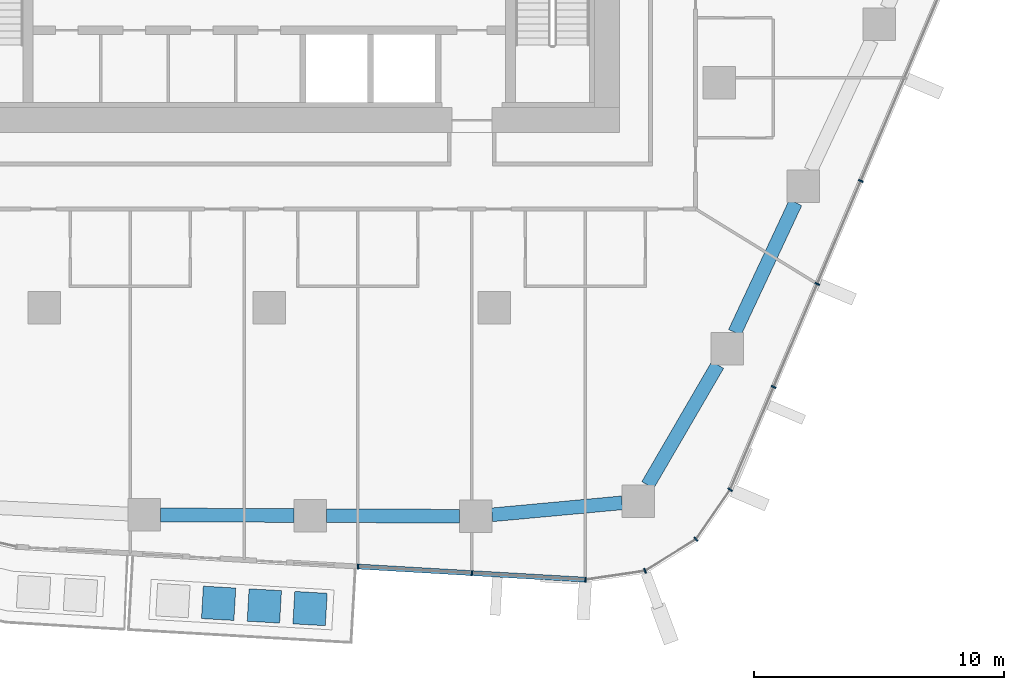
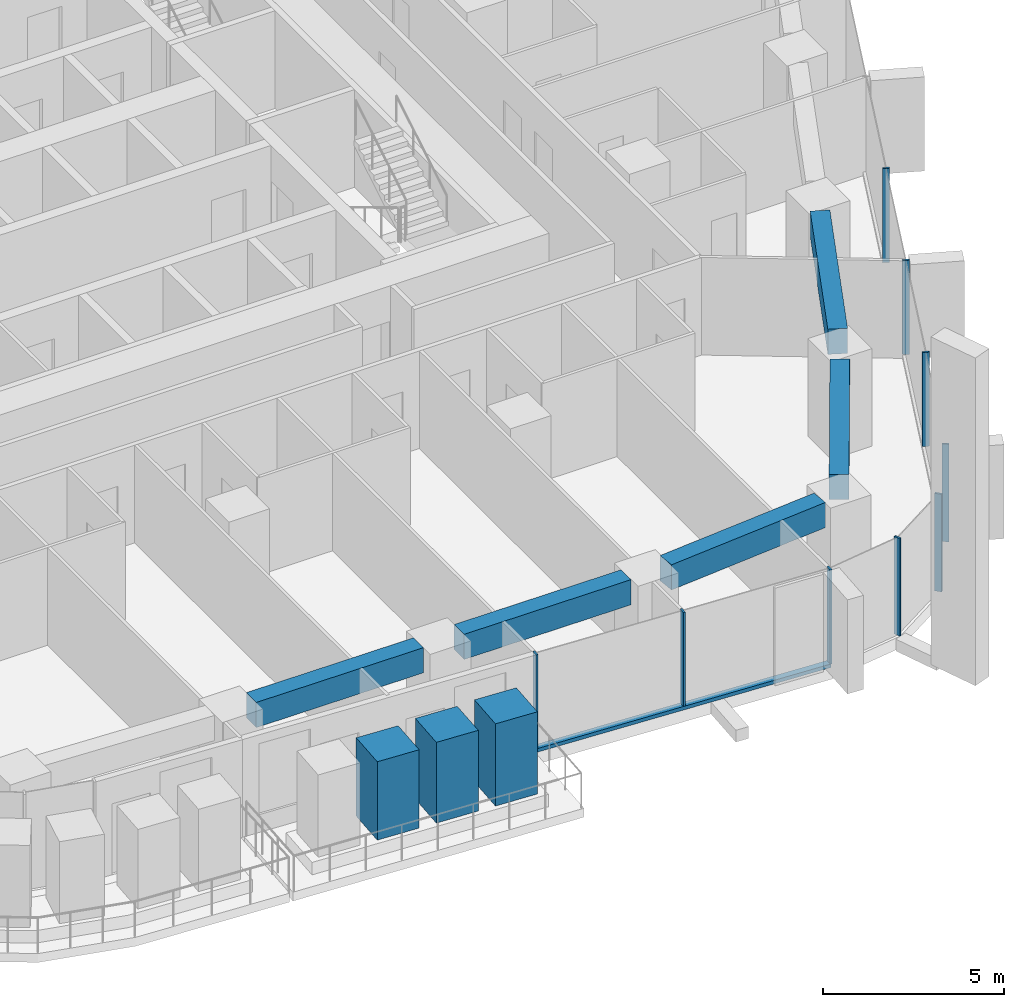
# One storey, part 4 of 24: 13 members, 5 beams, 3 elements without a shape of their own.
"""IFC4 building model written with IfcOpenShell, lengths in metres."""

import ifcopenshell
import ifcopenshell.guid

model = None  # the IFC model being written
_history = None  # IfcOwnerHistory: only IFC2X3 demands one
_inside = {}  # id of a spatial element -> (the spatial element, [elements in it])
_under = {}  # id of a project, library or spatial element -> (it, [spatial elements below it])
_declared = {}  # id of a project -> (the project, [libraries it declares])
_typed = {}  # id of a type object -> (the type object, [elements of that type])
_made_of = {}  # id of a material, layer set ... -> (it, [elements and type objects made of it])


def new_model(schema):
    """Start an empty IFC model of exactly this schema.

    Asked for "IFC4X3", IfcOpenShell would pick the latest addendum, in which some entities
    have other attributes; the version numbers below select the first issue.
    IFC2X3 requires an IfcOwnerHistory on every rooted entity: one is made here for all.
    """
    global model, _history
    if schema == "IFC4X3":
        model = ifcopenshell.file(schema_version=(4, 3, 0, 0))
    else:
        model = ifcopenshell.file(schema=schema)
    _inside.clear()
    _under.clear()
    _declared.clear()
    _typed.clear()
    _made_of.clear()
    _history = None
    if model.schema == "IFC2X3":
        org = make("IfcOrganization", Name="unknown")
        user = make(
            "IfcPersonAndOrganization",
            ThePerson=make("IfcPerson", FamilyName="unknown"),
            TheOrganization=org,
        )
        app = make(
            "IfcApplication",
            ApplicationDeveloper=org,
            Version="unknown",
            ApplicationFullName="unknown",
            ApplicationIdentifier="unknown",
        )
        _history = make(
            "IfcOwnerHistory",
            OwningUser=user,
            OwningApplication=app,
            ChangeAction="ADDED",
            CreationDate=0,
        )
    return model


def make(cls, **values):
    """One entity of the class cls with the attributes given. An attribute that is None is left unset."""
    return model.create_entity(
        cls, **{name: value for name, value in values.items() if value is not None}
    )


def rooted(cls, **values):
    """An entity with a GlobalId (a new one), such as an element, a storey or a relation."""
    return make(cls, GlobalId=ifcopenshell.guid.new(), OwnerHistory=_history, **values)


def si_unit(unit_type, name, prefix=None):
    """IfcSIUnit, for example si_unit("LENGTHUNIT", "METRE", prefix="MILLI")."""
    return make("IfcSIUnit", UnitType=unit_type, Prefix=prefix, Name=name)


def assignment(units):
    """IfcUnitAssignment: the units of a project."""
    return None if units is None else make("IfcUnitAssignment", Units=units)


def point(xyz):
    """IfcCartesianPoint."""
    return None if xyz is None else make("IfcCartesianPoint", Coordinates=xyz)


def direction(xyz):
    """IfcDirection."""
    return None if xyz is None else make("IfcDirection", DirectionRatios=xyz)


def frame(location, z_axis=None, x_axis=None):
    """IfcAxis2Placement3D, a coordinate frame: its origin and axes. An axis left out is left unset."""
    return make(
        "IfcAxis2Placement3D",
        Location=point(location),
        Axis=direction(z_axis),
        RefDirection=direction(x_axis),
    )


def frame_2d(location, x_axis=None):
    """IfcAxis2Placement2D, a coordinate frame in the plane: its origin and x axis."""
    return make(
        "IfcAxis2Placement2D", Location=point(location), RefDirection=direction(x_axis)
    )


def origin():
    """The frame at (0, 0, 0) with its axes left unset."""
    return frame((0.0, 0.0, 0.0))


def origin_2d():
    """The frame at (0, 0) in the plane with its x axis left unset."""
    return frame_2d((0.0, 0.0))


def place(relative_to, where):
    """IfcLocalPlacement: puts the frame where relative to a parent placement (None: the world)."""
    return make(
        "IfcLocalPlacement", PlacementRelTo=relative_to, RelativePlacement=where
    )


def context(
    kind, dimensions, precision=None, world=None, true_north=None, identifier=None
):
    """IfcGeometricRepresentationContext, for example the 3D "Model" context."""
    return make(
        "IfcGeometricRepresentationContext",
        ContextIdentifier=identifier,
        ContextType=kind,
        CoordinateSpaceDimension=dimensions,
        Precision=precision,
        WorldCoordinateSystem=world,
        TrueNorth=true_north,
    )


def subcontext(parent, identifier, kind, view, scale=None):
    """IfcGeometricRepresentationSubContext, for example "Body" below "Model"."""
    return make(
        "IfcGeometricRepresentationSubContext",
        ContextIdentifier=identifier,
        ContextType=kind,
        ParentContext=parent,
        TargetScale=scale,
        TargetView=view,
    )


def project(units=None, contexts=None):
    """IfcProject with its units and contexts."""
    return rooted(
        "IfcProject",
        Name="project",
        RepresentationContexts=contexts,
        UnitsInContext=assignment(units),
    )


def spatial(cls, under=None, at=None, **own):
    """A site, building, storey or space (cls), placed at a placement, below another one or the project."""
    s = rooted(cls, ObjectPlacement=at, **own)
    if under is not None:
        _under.setdefault(under.id(), (under, []))[1].append(s)
    return s


def profile(cls, at=None, kind="AREA", **sizes):
    """A parametric profile (cls). Its sizes go by their IFC names, for example OverallWidth=200.0."""
    return make(cls, ProfileType=kind, Position=at, **sizes)


def rectangle(**sizes):
    """IfcRectangleProfileDef."""
    return profile("IfcRectangleProfileDef", **sizes)


def extrude(swept, where, along, depth):
    """IfcExtrudedAreaSolid: the profile swept, set in the frame where, extruded along a direction by depth."""
    return make(
        "IfcExtrudedAreaSolid",
        SweptArea=swept,
        Position=where,
        ExtrudedDirection=direction(along),
        Depth=depth,
    )


def shape(context_of_items, identifier, shape_type, items):
    """IfcShapeRepresentation: the items that make up one representation, for example the "Body"."""
    return make(
        "IfcShapeRepresentation",
        ContextOfItems=context_of_items,
        RepresentationIdentifier=identifier,
        RepresentationType=shape_type,
        Items=items,
    )


def material(Name=None, Category=None):
    """IfcMaterial."""
    return make("IfcMaterial", Name=Name, Category=Category)


def layer(
    of_material, thickness, ventilated=None, Name=None, Category=None, Priority=None
):
    """IfcMaterialLayer: one layer of a wall or slab, of a material (None: an air gap)."""
    return make(
        "IfcMaterialLayer",
        Material=of_material,
        LayerThickness=thickness,
        IsVentilated=ventilated,
        Name=Name,
        Category=Category,
        Priority=Priority,
    )


def layer_set(layers, Name=None):
    """IfcMaterialLayerSet."""
    return make("IfcMaterialLayerSet", MaterialLayers=layers, LayerSetName=Name)


def material_profile(
    of_material, cross_section, Name=None, Category=None, Priority=None
):
    """IfcMaterialProfile: a cross section and its material."""
    return make(
        "IfcMaterialProfile",
        Name=Name,
        Material=of_material,
        Profile=cross_section,
        Priority=Priority,
        Category=Category,
    )


def profile_set(profiles, Name=None, composite=None):
    """IfcMaterialProfileSet."""
    return make(
        "IfcMaterialProfileSet",
        Name=Name,
        MaterialProfiles=profiles,
        CompositeProfile=composite,
    )


def made_of(thing, what):
    """Note that an element or type object is made of a material, layer set ...; save() writes the relation."""
    if what is not None:
        _made_of.setdefault(what.id(), (what, []))[1].append(thing)
    return thing


def type_object(cls, material=None, **own):
    """A type object (cls), such as IfcWallType, which elements share."""
    return made_of(rooted(cls, **own), material)


def element(
    cls,
    number,
    at=None,
    inside=None,
    cuts=None,
    type_object=None,
    material=None,
    context=None,
    identifier="Body",
    shape_type=None,
    held_by="IfcProductDefinitionShape",
    body=None,
    shapes=None,
    **own,
):
    """One element of the class cls, such as IfcWall. Its Tag is "e" and its number.

    at: its placement. inside: the storey or other place that contains it. cuts: it is an
    opening in that element (IfcRelVoidsElement). A single representation is given by context,
    identifier, shape_type and body (its items); several are given by shapes. held_by: the class
    of the entity that holds the representations. save() writes the other relations.
    """
    e = rooted(cls, Tag="e%d" % number, ObjectPlacement=at, **own)
    if body is not None:
        shapes = [shape(context, identifier, shape_type, body)]
    if shapes is not None:
        e.Representation = make(held_by, Representations=shapes)
    if inside is not None:
        _inside.setdefault(inside.id(), (inside, []))[1].append(e)
    if cuts is not None:
        rooted(
            "IfcRelVoidsElement", RelatingBuildingElement=cuts, RelatedOpeningElement=e
        )
    if type_object is not None:
        _typed.setdefault(type_object.id(), (type_object, []))[1].append(e)
    return made_of(e, material)


def aggregate(whole, parts):
    """IfcRelAggregates: a whole, such as a stair, and the parts it consists of."""
    return rooted("IfcRelAggregates", RelatingObject=whole, RelatedObjects=parts)


def save(model, path):
    """Write the relations noted so far, then the file.

    IfcRelAggregates (storeys below a building ...), IfcRelContainedInSpatialStructure (elements
    in a storey), IfcRelDefinesByType, IfcRelAssociatesMaterial and IfcRelDeclares: one each for
    every whole, place, type object, material and project.
    """
    for whole, parts in _under.values():
        aggregate(whole, parts)
    for where, things in _inside.values():
        rooted(
            "IfcRelContainedInSpatialStructure",
            RelatedElements=things,
            RelatingStructure=where,
        )
    for kind, things in _typed.values():
        rooted("IfcRelDefinesByType", RelatedObjects=things, RelatingType=kind)
    for what, things in _made_of.values():
        rooted("IfcRelAssociatesMaterial", RelatedObjects=things, RelatingMaterial=what)
    for by, libraries in _declared.values():
        rooted("IfcRelDeclares", RelatingContext=by, RelatedDefinitions=libraries)
    model.write(path)


model = new_model("IFC4")

# Units and contexts
model_context = context("Model", 3, precision=1e-05, world=origin(), true_north=direction((0.0, 1.0)))
body_context = subcontext(model_context, "Body", "Model", "MODEL_VIEW")
ifc_project = project(units=[si_unit("LENGTHUNIT", "METRE"), si_unit("AREAUNIT", "SQUARE_METRE"), si_unit("VOLUMEUNIT", "CUBIC_METRE"), si_unit("PLANEANGLEUNIT", "RADIAN"), si_unit("MASSUNIT", "GRAM", prefix="KILO")], contexts=[model_context])

# Site, building, storey
site_placement = place(None, origin())
site = spatial("IfcSite", under=ifc_project, at=site_placement, CompositionType="ELEMENT")
building_placement = place(site_placement, origin())
building = spatial("IfcBuilding", under=site, at=building_placement, Name="Dongbaek Canopy Tower", CompositionType="ELEMENT")
storey_placement = place(building_placement, frame((0.0, 0.0, 117.39990234375)))
storey = spatial("IfcBuildingStorey", under=building, at=storey_placement, Name="L25", CompositionType="ELEMENT", Elevation=117.39990234375)

# Curtain wall, members
ifc_material_1 = material(Name="Aluminium 6063-T6 pale anodised", Category="aluminium")
ifc_layer = layer(ifc_material_1, 0.199951171875)
ifc_layer_set = layer_set([ifc_layer], Name="CW-1 unitised tower curtain wall")
curtain_wall_type = type_object("IfcCurtainWallType", Name="CW-1 unitised tower curtain wall", PredefinedType="NOTDEFINED", material=ifc_layer_set)
curtain_wall_1_placement = place(storey_placement, origin())
curtain_wall_1 = element("IfcCurtainWall", 1, at=curtain_wall_1_placement, inside=storey, type_object=curtain_wall_type, Name="CW-1 curtain wall F4.1", PredefinedType="NOTDEFINED")
ifc_material_2 = material(Name="Aluminium 6063-T6 pale anodised", Category="aluminium")
ifc_material_profile_1 = material_profile(ifc_material_2, rectangle(XDim=0.199951171875, YDim=0.06005859375, at=origin_2d()), Name="CW-1 mullion 60 x 200")
ifc_profile_set_1 = profile_set([ifc_material_profile_1], Name="Aluminium 6063-T6 pale anodised")
member_type_1 = type_object("IfcMemberType", Name="CW-1 mullion 60 x 200", PredefinedType="MULLION", material=ifc_profile_set_1)
member_1_placement = place(storey_placement, frame((3.545166015625, -28.357666015625, 0.1201171875), z_axis=(0.0, 0.0, 1.0), x_axis=(-0.057753163239, -0.998330893109, 0.0)))
member_1 = element("IfcMember", 2, at=member_1_placement, type_object=member_type_1, Name="CW-1 mullion F4.1.1", PredefinedType="MULLION", context=body_context, shape_type="SweptSolid", body=[
    extrude(rectangle(XDim=0.199951171875, YDim=0.06005859375, at=origin_2d()), origin(), (0.0, 0.0, 1.0), 3.179931640625),
])
member_2_placement = place(storey_placement, frame((8.101318359375, -28.621337890625, 0.1201171875), z_axis=(0.0, 0.0, 1.0), x_axis=(-0.057753163239, -0.998330893109, 0.0)))
member_2 = element("IfcMember", 3, at=member_2_placement, type_object=member_type_1, Name="CW-1 mullion F4.1.2", PredefinedType="MULLION", context=body_context, shape_type="SweptSolid", body=[
    extrude(rectangle(XDim=0.199951171875, YDim=0.06005859375, at=origin_2d()), origin(), (0.0, 0.0, 1.0), 3.179931640625),
])
member_3_placement = place(storey_placement, frame((12.647216796875, -28.88427734375, 0.1201171875), z_axis=(0.0, 0.0, 1.0), x_axis=(-0.057753163239, -0.998330893109, 0.0)))
member_3 = element("IfcMember", 4, at=member_3_placement, type_object=member_type_1, Name="CW-1 mullion F4.1.3", PredefinedType="MULLION", context=body_context, shape_type="SweptSolid", body=[
    extrude(rectangle(XDim=0.199951171875, YDim=0.06005859375, at=origin_2d()), origin(), (0.0, 0.0, 1.0), 3.179931640625),
])

curtain_wall_2_placement = place(storey_placement, origin())
curtain_wall_2 = element("IfcCurtainWall", 5, at=curtain_wall_2_placement, inside=storey, type_object=curtain_wall_type, Name="CW-1 curtain wall K5.1", PredefinedType="NOTDEFINED")
member_4_placement = place(storey_placement, frame((15.02978515625, -28.53173828125, 0.0), z_axis=(0.0, 0.0, 1.0), x_axis=(0.344450618271, -0.938804437342, 0.0)))
member_4 = element("IfcMember", 6, at=member_4_placement, type_object=member_type_1, Name="CW-1 mullion K5.1.2", PredefinedType="MULLION", context=body_context, shape_type="SweptSolid", body=[
    extrude(rectangle(XDim=0.199951171875, YDim=0.06005859375, at=origin_2d()), origin(), (0.0, 0.0, 1.0), 3.300048828125),
])
member_5_placement = place(storey_placement, frame((17.066162109375, -27.265380859375, 0.0), z_axis=(0.0, 0.0, 1.0), x_axis=(0.689712826915, -0.724083017608, 0.0)))
member_5 = element("IfcMember", 7, at=member_5_placement, type_object=member_type_1, Name="CW-1 mullion K5.1.3", PredefinedType="MULLION", context=body_context, shape_type="SweptSolid", body=[
    extrude(rectangle(XDim=0.199951171875, YDim=0.06005859375, at=origin_2d()), origin(), (0.0, 0.0, 1.0), 3.300048828125),
])
member_6_placement = place(storey_placement, frame((18.435791015625, -25.2841796875, 0.0), z_axis=(0.0, 0.0, 1.0), x_axis=(0.822510897194, -0.568749350767, 0.0)))
member_6 = element("IfcMember", 8, at=member_6_placement, type_object=member_type_1, Name="CW-1 mullion K5.1.4", PredefinedType="MULLION", context=body_context, shape_type="SweptSolid", body=[
    extrude(rectangle(XDim=0.199951171875, YDim=0.06005859375, at=origin_2d()), origin(), (0.0, 0.0, 1.0), 3.300048828125),
])
aggregate(curtain_wall_2, [member_4, member_5, member_6])

curtain_wall_3_placement = place(storey_placement, origin())
curtain_wall_3 = element("IfcCurtainWall", 9, at=curtain_wall_3_placement, inside=storey, type_object=curtain_wall_type, Name="CW-1 curtain wall F5.1", PredefinedType="NOTDEFINED")
member_7_placement = place(storey_placement, frame((20.175537109375, -21.1728515625, 0.1201171875), z_axis=(0.0, 0.0, 1.0), x_axis=(0.920957724744, -0.389662506836, 0.0)))
member_7 = element("IfcMember", 10, at=member_7_placement, type_object=member_type_1, Name="CW-1 mullion F5.1.2", PredefinedType="MULLION", context=body_context, shape_type="SweptSolid", body=[
    extrude(rectangle(XDim=0.199951171875, YDim=0.06005859375, at=origin_2d()), origin(), (0.0, 0.0, 1.0), 3.179931640625),
])
member_8_placement = place(storey_placement, frame((21.919189453125, -17.0517578125, 0.1201171875), z_axis=(0.0, 0.0, 1.0), x_axis=(0.920957724744, -0.389662506836, 0.0)))
member_8 = element("IfcMember", 11, at=member_8_placement, type_object=member_type_1, Name="CW-1 mullion F5.1.3", PredefinedType="MULLION", context=body_context, shape_type="SweptSolid", body=[
    extrude(rectangle(XDim=0.199951171875, YDim=0.06005859375, at=origin_2d()), origin(), (0.0, 0.0, 1.0), 3.179931640625),
])
member_9_placement = place(storey_placement, frame((23.66259765625, -12.930908203125, 0.1201171875), z_axis=(0.0, 0.0, 1.0), x_axis=(0.920957724744, -0.389662506836, 0.0)))
member_9 = element("IfcMember", 12, at=member_9_placement, type_object=member_type_1, Name="CW-1 mullion F5.1.4", PredefinedType="MULLION", context=body_context, shape_type="SweptSolid", body=[
    extrude(rectangle(XDim=0.199951171875, YDim=0.06005859375, at=origin_2d()), origin(), (0.0, 0.0, 1.0), 3.179931640625),
])
aggregate(curtain_wall_3, [member_7, member_8, member_9])

# Member
ifc_material_3 = material(Name="Aluminium 6063-T6 pale anodised", Category="aluminium")
ifc_material_profile_2 = material_profile(ifc_material_3, rectangle(XDim=0.199951171875, YDim=0.1201171875, at=origin_2d()), Name="CW-1 transom 120 x 200")
ifc_profile_set_2 = profile_set([ifc_material_profile_2], Name="Aluminium 6063-T6 pale anodised")
member_type_2 = type_object("IfcMemberType", Name="CW-1 transom 120 x 200", PredefinedType="USERDEFINED", material=ifc_profile_set_2)
member_10_placement = place(storey_placement, frame((3.545166015625, -28.357666015625, 0.06005859375), z_axis=(0.998330512176, -0.057759747727, 0.0), x_axis=(0.057759747727, 0.998330512176, 0.0)))
member_10 = element("IfcMember", 13, at=member_10_placement, type_object=member_type_2, Name="CW-1 transom F4.1.1", ObjectType="TRANSOM", PredefinedType="USERDEFINED", context=body_context, shape_type="SweptSolid", body=[
    extrude(rectangle(XDim=0.199951171875, YDim=0.1201171875, at=origin_2d()), origin(), (0.0, 0.0, 1.0), 9.1171875),
])

aggregate(curtain_wall_1, [member_1, member_2, member_3, member_10])

# Beams
ifc_material_4 = material(Name="Concrete C80", Category="concrete")
ifc_material_profile_3 = material_profile(ifc_material_4, rectangle(XDim=0.550048828125, YDim=0.85009765625, at=origin_2d()), Name="RC EDGE BEAM 550x850 C80")
ifc_profile_set_3 = profile_set([ifc_material_profile_3], Name="Concrete C80")
beam_type = type_object("IfcBeamType", Name="RC EDGE BEAM 550x850 C80", PredefinedType="BEAM", material=ifc_profile_set_3)
beam_1_placement = place(storey_placement, frame((14.110107421875, -25.80908203125, 2.875), z_axis=(-0.995770494827, -0.091875576911, 0.0), x_axis=(0.091875576911, -0.995770494827, 0.0)))
element("IfcBeam", 14, at=beam_1_placement, inside=storey, type_object=beam_type, Name="EDGEBEAM:L25:00", PredefinedType="BEAM", context=body_context, shape_type="SweptSolid", body=[
    extrude(rectangle(XDim=0.550048828125, YDim=0.85009765625, at=origin_2d()), origin(), (0.0, 0.0, 1.0), 5.224365234375),
])
beam_2_placement = place(storey_placement, frame((7.60791015625, -26.34619140625, 2.875), z_axis=(-0.999989714022, 0.004535620181, 0.0), x_axis=(-0.004535620181, -0.999989714022, 0.0)))
element("IfcBeam", 15, at=beam_2_placement, inside=storey, type_object=beam_type, Name="EDGEBEAM:L25:01", PredefinedType="BEAM", context=body_context, shape_type="SweptSolid", body=[
    extrude(rectangle(XDim=0.550048828125, YDim=0.85009765625, at=origin_2d()), origin(), (0.0, 0.0, 1.0), 5.328857421875),
])
beam_3_placement = place(storey_placement, frame((0.97900390625, -26.316162109375, 2.875), z_axis=(-0.999990328846, 0.004397978357, 0.0), x_axis=(-0.004397978357, -0.999990328846, 0.0)))
element("IfcBeam", 16, at=beam_3_placement, inside=storey, type_object=beam_type, Name="EDGEBEAM:L25:02", PredefinedType="BEAM", context=body_context, shape_type="SweptSolid", body=[
    extrude(rectangle(XDim=0.550048828125, YDim=0.85009765625, at=origin_2d()), origin(), (0.0, 0.0, 1.0), 5.3291015625),
])
beam_4_placement = place(storey_placement, frame((21.051513671875, -13.800048828125, 2.875), z_axis=(-0.424209119096, -0.905564256845, 0.0), x_axis=(0.905564256845, -0.424209119096, 0.0)))
element("IfcBeam", 17, at=beam_4_placement, inside=storey, type_object=beam_type, Name="EDGEBEAM:L25:24", PredefinedType="BEAM", context=body_context, shape_type="SweptSolid", body=[
    extrude(rectangle(XDim=0.550048828125, YDim=0.85009765625, at=origin_2d()), origin(), (0.0, 0.0, 1.0), 5.7333984375),
])
beam_5_placement = place(storey_placement, frame((17.9365234375, -20.2919921875, 2.875), z_axis=(-0.503057531083, -0.864252926186, 0.0), x_axis=(0.864252926186, -0.503057531083, 0.0)))
element("IfcBeam", 18, at=beam_5_placement, inside=storey, type_object=beam_type, Name="EDGEBEAM:L25:25", PredefinedType="BEAM", context=body_context, shape_type="SweptSolid", body=[
    extrude(rectangle(XDim=0.550048828125, YDim=0.85009765625, at=origin_2d()), origin(), (0.0, 0.0, 1.0), 5.562255859375),
])

# Members
ifc_material_5 = material(Name="Concrete C40/50 planter mass with planting", Category="concrete")
ifc_material_profile_4 = material_profile(ifc_material_5, rectangle(XDim=1.300048828125, YDim=1.300048828125, at=origin_2d()), Name="Terrace PLANTER shrub mass 1300 x 1300")
ifc_profile_set_4 = profile_set([ifc_material_profile_4], Name="Concrete C40/50 planter mass with planting")
member_type_3 = type_object("IfcMemberType", Name="Terrace PLANTER shrub mass 1300 x 1300", PredefinedType="USERDEFINED", material=ifc_profile_set_4)
member_11_placement = place(storey_placement, frame((-2.02880859375, -29.828369140625, 0.420166015625), z_axis=(0.0, 0.0, 1.0), x_axis=(-0.057753163239, -0.998330893109, 0.0)))
element("IfcMember", 19, at=member_11_placement, inside=storey, type_object=member_type_3, Name="Planter shrubs L25 4.2", ObjectType="PLANTER", PredefinedType="USERDEFINED", context=body_context, shape_type="SweptSolid", body=[
    extrude(rectangle(XDim=1.300048828125, YDim=1.300048828125, at=origin_2d()), origin(), (0.0, 0.0, 1.0), 2.64990234375),
])
member_12_placement = place(storey_placement, frame((-0.199951171875, -29.93408203125, 0.420166015625), z_axis=(0.0, 0.0, 1.0), x_axis=(-0.057753163239, -0.998330893109, 0.0)))
element("IfcMember", 20, at=member_12_placement, inside=storey, type_object=member_type_3, Name="Planter shrubs L25 4.3", ObjectType="PLANTER", PredefinedType="USERDEFINED", context=body_context, shape_type="SweptSolid", body=[
    extrude(rectangle(XDim=1.300048828125, YDim=1.300048828125, at=origin_2d()), origin(), (0.0, 0.0, 1.0), 2.72998046875),
])
member_13_placement = place(storey_placement, frame((1.62890625, -30.039794921875, 0.420166015625), z_axis=(0.0, 0.0, 1.0), x_axis=(-0.057753163239, -0.998330893109, 0.0)))
element("IfcMember", 21, at=member_13_placement, inside=storey, type_object=member_type_3, Name="Planter shrubs L25 4.4", ObjectType="PLANTER", PredefinedType="USERDEFINED", context=body_context, shape_type="SweptSolid", body=[
    extrude(rectangle(XDim=1.300048828125, YDim=1.300048828125, at=origin_2d()), origin(), (0.0, 0.0, 1.0), 2.780029296875),
])

save(model, "model.ifc")
